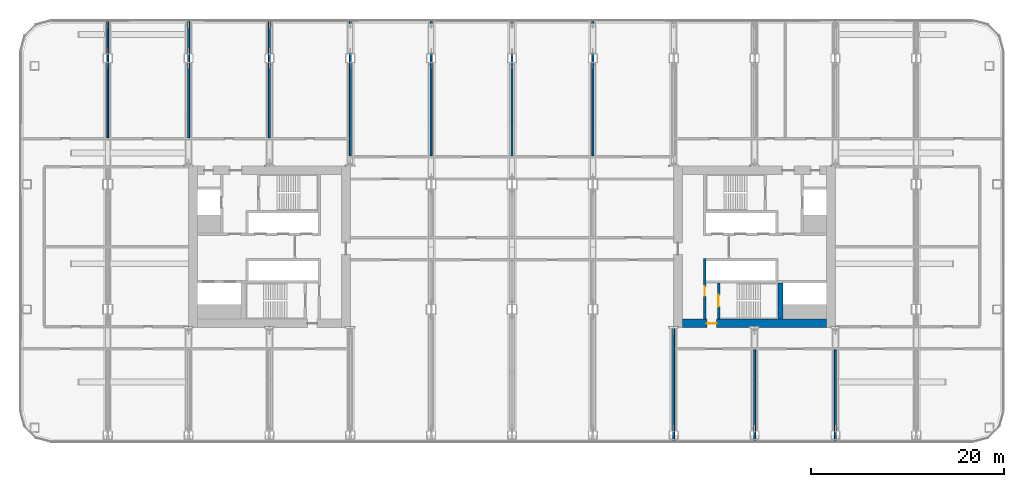
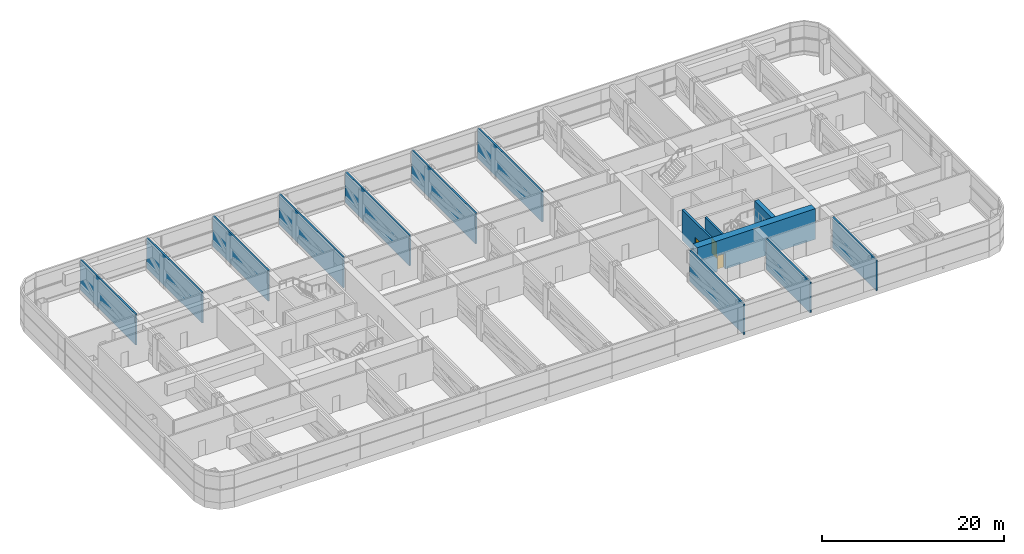
# One storey, part 18 of 30: 14 walls, 3 doors, 3 openings.
"""IFC4 building model written with IfcOpenShell, lengths in metres."""

import ifcopenshell
import ifcopenshell.guid

model = None  # the IFC model being written
_history = None  # IfcOwnerHistory: only IFC2X3 demands one
_inside = {}  # id of a spatial element -> (the spatial element, [elements in it])
_under = {}  # id of a project, library or spatial element -> (it, [spatial elements below it])
_declared = {}  # id of a project -> (the project, [libraries it declares])
_typed = {}  # id of a type object -> (the type object, [elements of that type])
_made_of = {}  # id of a material, layer set ... -> (it, [elements and type objects made of it])


def new_model(schema):
    """Start an empty IFC model of exactly this schema.

    Asked for "IFC4X3", IfcOpenShell would pick the latest addendum, in which some entities
    have other attributes; the version numbers below select the first issue.
    IFC2X3 requires an IfcOwnerHistory on every rooted entity: one is made here for all.
    """
    global model, _history
    if schema == "IFC4X3":
        model = ifcopenshell.file(schema_version=(4, 3, 0, 0))
    else:
        model = ifcopenshell.file(schema=schema)
    _inside.clear()
    _under.clear()
    _declared.clear()
    _typed.clear()
    _made_of.clear()
    _history = None
    if model.schema == "IFC2X3":
        org = make("IfcOrganization", Name="unknown")
        user = make(
            "IfcPersonAndOrganization",
            ThePerson=make("IfcPerson", FamilyName="unknown"),
            TheOrganization=org,
        )
        app = make(
            "IfcApplication",
            ApplicationDeveloper=org,
            Version="unknown",
            ApplicationFullName="unknown",
            ApplicationIdentifier="unknown",
        )
        _history = make(
            "IfcOwnerHistory",
            OwningUser=user,
            OwningApplication=app,
            ChangeAction="ADDED",
            CreationDate=0,
        )
    return model


def make(cls, **values):
    """One entity of the class cls with the attributes given. An attribute that is None is left unset."""
    return model.create_entity(
        cls, **{name: value for name, value in values.items() if value is not None}
    )


def rooted(cls, **values):
    """An entity with a GlobalId (a new one), such as an element, a storey or a relation."""
    return make(cls, GlobalId=ifcopenshell.guid.new(), OwnerHistory=_history, **values)


def si_unit(unit_type, name, prefix=None):
    """IfcSIUnit, for example si_unit("LENGTHUNIT", "METRE", prefix="MILLI")."""
    return make("IfcSIUnit", UnitType=unit_type, Prefix=prefix, Name=name)


def assignment(units):
    """IfcUnitAssignment: the units of a project."""
    return None if units is None else make("IfcUnitAssignment", Units=units)


def point(xyz):
    """IfcCartesianPoint."""
    return None if xyz is None else make("IfcCartesianPoint", Coordinates=xyz)


def direction(xyz):
    """IfcDirection."""
    return None if xyz is None else make("IfcDirection", DirectionRatios=xyz)


def frame(location, z_axis=None, x_axis=None):
    """IfcAxis2Placement3D, a coordinate frame: its origin and axes. An axis left out is left unset."""
    return make(
        "IfcAxis2Placement3D",
        Location=point(location),
        Axis=direction(z_axis),
        RefDirection=direction(x_axis),
    )


def frame_2d(location, x_axis=None):
    """IfcAxis2Placement2D, a coordinate frame in the plane: its origin and x axis."""
    return make(
        "IfcAxis2Placement2D", Location=point(location), RefDirection=direction(x_axis)
    )


def origin():
    """The frame at (0, 0, 0) with its axes left unset."""
    return frame((0.0, 0.0, 0.0))


def place(relative_to, where):
    """IfcLocalPlacement: puts the frame where relative to a parent placement (None: the world)."""
    return make(
        "IfcLocalPlacement", PlacementRelTo=relative_to, RelativePlacement=where
    )


def context(
    kind, dimensions, precision=None, world=None, true_north=None, identifier=None
):
    """IfcGeometricRepresentationContext, for example the 3D "Model" context."""
    return make(
        "IfcGeometricRepresentationContext",
        ContextIdentifier=identifier,
        ContextType=kind,
        CoordinateSpaceDimension=dimensions,
        Precision=precision,
        WorldCoordinateSystem=world,
        TrueNorth=true_north,
    )


def subcontext(parent, identifier, kind, view, scale=None):
    """IfcGeometricRepresentationSubContext, for example "Body" below "Model"."""
    return make(
        "IfcGeometricRepresentationSubContext",
        ContextIdentifier=identifier,
        ContextType=kind,
        ParentContext=parent,
        TargetScale=scale,
        TargetView=view,
    )


def project(units=None, contexts=None):
    """IfcProject with its units and contexts."""
    return rooted(
        "IfcProject",
        Name="project",
        RepresentationContexts=contexts,
        UnitsInContext=assignment(units),
    )


def spatial(cls, under=None, at=None, **own):
    """A site, building, storey or space (cls), placed at a placement, below another one or the project."""
    s = rooted(cls, ObjectPlacement=at, **own)
    if under is not None:
        _under.setdefault(under.id(), (under, []))[1].append(s)
    return s


def profile(cls, at=None, kind="AREA", **sizes):
    """A parametric profile (cls). Its sizes go by their IFC names, for example OverallWidth=200.0."""
    return make(cls, ProfileType=kind, Position=at, **sizes)


def rectangle(**sizes):
    """IfcRectangleProfileDef."""
    return profile("IfcRectangleProfileDef", **sizes)


def extrude(swept, where, along, depth):
    """IfcExtrudedAreaSolid: the profile swept, set in the frame where, extruded along a direction by depth."""
    return make(
        "IfcExtrudedAreaSolid",
        SweptArea=swept,
        Position=where,
        ExtrudedDirection=direction(along),
        Depth=depth,
    )


def shape(context_of_items, identifier, shape_type, items):
    """IfcShapeRepresentation: the items that make up one representation, for example the "Body"."""
    return make(
        "IfcShapeRepresentation",
        ContextOfItems=context_of_items,
        RepresentationIdentifier=identifier,
        RepresentationType=shape_type,
        Items=items,
    )


def material(Name=None, Category=None):
    """IfcMaterial."""
    return make("IfcMaterial", Name=Name, Category=Category)


def layer(
    of_material, thickness, ventilated=None, Name=None, Category=None, Priority=None
):
    """IfcMaterialLayer: one layer of a wall or slab, of a material (None: an air gap)."""
    return make(
        "IfcMaterialLayer",
        Material=of_material,
        LayerThickness=thickness,
        IsVentilated=ventilated,
        Name=Name,
        Category=Category,
        Priority=Priority,
    )


def layer_set(layers, Name=None):
    """IfcMaterialLayerSet."""
    return make("IfcMaterialLayerSet", MaterialLayers=layers, LayerSetName=Name)


def made_of(thing, what):
    """Note that an element or type object is made of a material, layer set ...; save() writes the relation."""
    if what is not None:
        _made_of.setdefault(what.id(), (what, []))[1].append(thing)
    return thing


def type_object(cls, material=None, **own):
    """A type object (cls), such as IfcWallType, which elements share."""
    return made_of(rooted(cls, **own), material)


def element(
    cls,
    number,
    at=None,
    inside=None,
    cuts=None,
    type_object=None,
    material=None,
    context=None,
    identifier="Body",
    shape_type=None,
    held_by="IfcProductDefinitionShape",
    body=None,
    shapes=None,
    **own,
):
    """One element of the class cls, such as IfcWall. Its Tag is "e" and its number.

    at: its placement. inside: the storey or other place that contains it. cuts: it is an
    opening in that element (IfcRelVoidsElement). A single representation is given by context,
    identifier, shape_type and body (its items); several are given by shapes. held_by: the class
    of the entity that holds the representations. save() writes the other relations.
    """
    e = rooted(cls, Tag="e%d" % number, ObjectPlacement=at, **own)
    if body is not None:
        shapes = [shape(context, identifier, shape_type, body)]
    if shapes is not None:
        e.Representation = make(held_by, Representations=shapes)
    if inside is not None:
        _inside.setdefault(inside.id(), (inside, []))[1].append(e)
    if cuts is not None:
        rooted(
            "IfcRelVoidsElement", RelatingBuildingElement=cuts, RelatedOpeningElement=e
        )
    if type_object is not None:
        _typed.setdefault(type_object.id(), (type_object, []))[1].append(e)
    return made_of(e, material)


def fill(opening, filler):
    """IfcRelFillsElement: the door or window that sits in an opening."""
    return rooted(
        "IfcRelFillsElement",
        RelatingOpeningElement=opening,
        RelatedBuildingElement=filler,
    )


def aggregate(whole, parts):
    """IfcRelAggregates: a whole, such as a stair, and the parts it consists of."""
    return rooted("IfcRelAggregates", RelatingObject=whole, RelatedObjects=parts)


def save(model, path):
    """Write the relations noted so far, then the file.

    IfcRelAggregates (storeys below a building ...), IfcRelContainedInSpatialStructure (elements
    in a storey), IfcRelDefinesByType, IfcRelAssociatesMaterial and IfcRelDeclares: one each for
    every whole, place, type object, material and project.
    """
    for whole, parts in _under.values():
        aggregate(whole, parts)
    for where, things in _inside.values():
        rooted(
            "IfcRelContainedInSpatialStructure",
            RelatedElements=things,
            RelatingStructure=where,
        )
    for kind, things in _typed.values():
        rooted("IfcRelDefinesByType", RelatedObjects=things, RelatingType=kind)
    for what, things in _made_of.values():
        rooted("IfcRelAssociatesMaterial", RelatedObjects=things, RelatingMaterial=what)
    for by, libraries in _declared.values():
        rooted("IfcRelDeclares", RelatingContext=by, RelatedDefinitions=libraries)
    model.write(path)


model = new_model("IFC4")

# Units and contexts
model_context = context("Model", 3, precision=1e-05, world=origin(), true_north=direction((0.0, 1.0)))
body_context = subcontext(model_context, "Body", "Model", "MODEL_VIEW")
ifc_project = project(units=[si_unit("LENGTHUNIT", "METRE"), si_unit("AREAUNIT", "SQUARE_METRE"), si_unit("VOLUMEUNIT", "CUBIC_METRE"), si_unit("PLANEANGLEUNIT", "RADIAN"), si_unit("MASSUNIT", "GRAM", prefix="KILO")], contexts=[model_context])

# Site, building, storey
site_placement = place(None, origin())
site = spatial("IfcSite", under=ifc_project, at=site_placement, CompositionType="ELEMENT")
building_placement = place(site_placement, origin())
building = spatial("IfcBuilding", under=site, at=building_placement, Name="Hakoniwa Tower and Hamabe Station Hall", CompositionType="ELEMENT")
storey_placement = place(building_placement, frame((0.0, 0.0, 64.60009765625)))
storey = spatial("IfcBuildingStorey", under=building, at=storey_placement, Name="L18", CompositionType="ELEMENT", Elevation=64.60009765625)

# Wall, opening, door
ifc_material_1 = material(Name="Concrete C80", Category="concrete")
ifc_layer_1 = layer(ifc_material_1, 0.89990234375)
ifc_layer_set_1 = layer_set([ifc_layer_1], Name="CORE WALL 900 C80")
wall_type_1 = type_object("IfcWallType", Name="CORE WALL 900 C80", PredefinedType="SHEAR", material=ifc_layer_set_1)
wall_1_placement = place(storey_placement, frame((17.699951171875, -7.949951171875, 0.0), z_axis=(0.0, 0.0, 1.0), x_axis=(1.0, 0.0, 0.0)))
wall_1 = element("IfcWall", 1, at=wall_1_placement, inside=storey, type_object=wall_type_1, Name="Core wall SOUTH east", PredefinedType="SHEAR", context=body_context, shape_type="SweptSolid", body=[
    extrude(rectangle(XDim=15.0, YDim=0.89990234375, at=frame_2d((7.5, 0.0))), origin(), (0.0, 0.0, 1.0), 4.099853515625),
])
opening_1_placement = place(wall_1_placement, frame((2.550048828125, 0.0, 0.0)))
opening_1 = element("IfcOpeningElement", 2, at=opening_1_placement, cuts=wall_1, Name="Opening CD-E-FS3-10", PredefinedType="OPENING", context=body_context, shape_type="SweptSolid", body=[
    extrude(rectangle(XDim=1.0, YDim=2.10009765625, at=frame_2d((0.5, 1.050048828125))), frame((0.0, 0.4599609375, 0.0), z_axis=(0.0, -1.0, 0.0), x_axis=(1.0, 0.0, 0.0)), (0.0, 0.0, 1.0), 0.919921875),
])
ifc_material_2 = material(Name="Steel fire door", Category="steel")
door_type_1 = type_object("IfcDoorType", Name="CORE DOOR 1000 FD60", OperationType="NOTDEFINED", PredefinedType="DOOR", material=ifc_material_2)
door_1_placement = place(opening_1_placement, origin())
door_1 = element("IfcDoor", 3, at=door_1_placement, inside=storey, type_object=door_type_1, Name="Stair vestibule door", OperationType="SINGLE_SWING_LEFT", OverallHeight=2.10009765625, OverallWidth=1.0, PredefinedType="DOOR", context=body_context, shape_type="SweptSolid", body=[
    extrude(rectangle(XDim=1.0, YDim=2.10009765625, at=frame_2d((0.5, 1.050048828125))), frame((0.0, 0.02490234375, 0.0), z_axis=(0.0, -1.0, 0.0), x_axis=(1.0, 0.0, 0.0)), (0.0, 0.0, 1.0), 0.050048828125),
])
fill(opening_1, door_1)

ifc_material_3 = material(Name="Concrete C80", Category="concrete")
ifc_layer_2 = layer(ifc_material_3, 0.25)
ifc_layer_set_2 = layer_set([ifc_layer_2], Name="CORE WEB WALL 250 C80")
wall_type_2 = type_object("IfcWallType", Name="CORE WEB WALL 250 C80", PredefinedType="SHEAR", material=ifc_layer_set_2)
wall_2_placement = place(storey_placement, frame((20.02490234375, -7.5, 0.0), z_axis=(0.0, 0.0, 1.0), x_axis=(0.0, 1.0, 0.0)))
wall_2 = element("IfcWall", 4, at=wall_2_placement, inside=storey, type_object=wall_type_2, Name="Core wall W1S east", PredefinedType="SHEAR", context=body_context, shape_type="SweptSolid", body=[
    extrude(rectangle(XDim=6.300048828125, YDim=0.25, at=frame_2d((3.14990234375, 0.0))), origin(), (0.0, 0.0, 1.0), 4.099853515625),
])
opening_2_placement = place(wall_2_placement, frame((2.39990234375, 0.0, 0.0)))
opening_2 = element("IfcOpeningElement", 5, at=opening_2_placement, cuts=wall_2, Name="Opening CD-E-VS-10", PredefinedType="OPENING", context=body_context, shape_type="SweptSolid", body=[
    extrude(rectangle(XDim=1.0, YDim=2.10009765625, at=frame_2d((0.5, 1.050048828125))), frame((0.0, 0.135009765625, 0.0), z_axis=(0.0, -1.0, 0.0), x_axis=(1.0, 0.0, 0.0)), (0.0, 0.0, 1.0), 0.27001953125),
])
door_2_placement = place(opening_2_placement, origin())
door_2 = element("IfcDoor", 6, at=door_2_placement, inside=storey, type_object=door_type_1, Name="Stair vestibule door", OperationType="SINGLE_SWING_RIGHT", OverallHeight=2.10009765625, OverallWidth=1.0, PredefinedType="DOOR", context=body_context, shape_type="SweptSolid", body=[
    extrude(rectangle(XDim=1.0, YDim=2.10009765625, at=frame_2d((0.5, 1.050048828125))), frame((0.0, 0.02490234375, 0.0), z_axis=(0.0, -1.0, 0.0), x_axis=(1.0, 0.0, 0.0)), (0.0, 0.0, 1.0), 0.050048828125),
])
fill(opening_2, door_2)

wall_3_placement = place(storey_placement, frame((21.47509765625, -7.5, 0.0), z_axis=(0.0, 0.0, 1.0), x_axis=(0.0, 1.0, 0.0)))
wall_3 = element("IfcWall", 7, at=wall_3_placement, inside=storey, type_object=wall_type_2, Name="Core wall VE east", PredefinedType="SHEAR", context=body_context, shape_type="SweptSolid", body=[
    extrude(rectangle(XDim=3.75, YDim=0.25, at=frame_2d((1.875, 0.0))), origin(), (0.0, 0.0, 1.0), 4.099853515625),
])
opening_3_placement = place(wall_3_placement, frame((1.300048828125, 0.0, 0.0)))
opening_3 = element("IfcOpeningElement", 8, at=opening_3_placement, cuts=wall_3, Name="Opening CD-E-SS-12", PredefinedType="OPENING", context=body_context, shape_type="SweptSolid", body=[
    extrude(rectangle(XDim=1.199951171875, YDim=2.10009765625, at=frame_2d((0.60009765625, 1.050048828125))), frame((0.0, 0.135009765625, 0.0), z_axis=(0.0, -1.0, 0.0), x_axis=(1.0, 0.0, 0.0)), (0.0, 0.0, 1.0), 0.27001953125),
])
ifc_material_4 = material(Name="Steel fire door", Category="steel")
door_type_2 = type_object("IfcDoorType", Name="CORE DOOR 1200 FD60", OperationType="DOUBLE_DOOR_SINGLE_SWING", PredefinedType="DOOR", material=ifc_material_4)
door_3_placement = place(opening_3_placement, origin())
door_3 = element("IfcDoor", 9, at=door_3_placement, inside=storey, type_object=door_type_2, Name="Escape stair door", OperationType="DOUBLE_DOOR_SINGLE_SWING", OverallHeight=2.10009765625, OverallWidth=1.199951171875, PredefinedType="DOOR", context=body_context, shape_type="SweptSolid", body=[
    extrude(rectangle(XDim=1.199951171875, YDim=2.10009765625, at=frame_2d((0.60009765625, 1.050048828125))), frame((0.0, 0.02490234375, 0.0), z_axis=(0.0, -1.0, 0.0), x_axis=(1.0, 0.0, 0.0)), (0.0, 0.0, 1.0), 0.050048828125),
])
fill(opening_3, door_3)

# Walls
ifc_material_5 = material(Name="Concrete C80", Category="concrete")
ifc_layer_3 = layer(ifc_material_5, 0.5)
ifc_layer_set_3 = layer_set([ifc_layer_3], Name="CORE WEB WALL 500 C80")
wall_type_3 = type_object("IfcWallType", Name="CORE WEB WALL 500 C80", PredefinedType="SHEAR", material=ifc_layer_set_3)
wall_4_placement = place(storey_placement, frame((27.89990234375, -7.5, 0.0), z_axis=(0.0, 0.0, 1.0), x_axis=(0.0, 1.0, 0.0)))
element("IfcWall", 10, at=wall_4_placement, inside=storey, type_object=wall_type_3, Name="Core wall SSE east", PredefinedType="SHEAR", context=body_context, shape_type="SweptSolid", body=[
    extrude(rectangle(XDim=3.75, YDim=0.5, at=frame_2d((1.875, 0.0))), origin(), (0.0, 0.0, 1.0), 4.099853515625),
])
ifc_material_6 = material(Name="Fire-rated gypsum board partition", Category="gypsum")
ifc_layer_4 = layer(ifc_material_6, 0.199951171875)
ifc_layer_set_4 = layer_set([ifc_layer_4], Name="Party Wall 200")
wall_type_4 = type_object("IfcWallType", Name="Party Wall 200", PredefinedType="PARTITIONING", material=ifc_layer_set_4)
for number, where, z_axis, x_axis, name in (
    (11, (-42.0, 11.35009765625, 0.0), (0.0, 0.0, 1.0), (0.0, 1.0, 0.0), "GW-L18-018"),
    (12, (-33.60009765625, 11.35009765625, 0.0), (0.0, 0.0, 1.0), (0.0, 1.0, 0.0), "GW-L18-020"),
    (13, (-25.199951171875, 11.35009765625, 0.0), (0.0, 0.0, 1.0), (0.0, 1.0, 0.0), "GW-L18-022"),
):
    element("IfcWall", number, at=place(storey_placement, frame(where, z_axis=z_axis, x_axis=x_axis)), inside=storey, type_object=wall_type_4, Name=name, PredefinedType="PARTITIONING", context=body_context, shape_type="SweptSolid", body=[
        extrude(rectangle(XDim=12.199951171875, YDim=0.199951171875, at=frame_2d((6.10009765625, 0.0))), origin(), (0.0, 0.0, 1.0), 4.099853515625),
    ])
for number, where, z_axis, x_axis, name in (
    (14, (-16.800048828125, 9.449951171875, 0.0), (0.0, 0.0, 1.0), (0.0, 1.0, 0.0), "GW-L18-024"),
    (15, (-8.39990234375, 9.449951171875, 0.0), (0.0, 0.0, 1.0), (0.0, 1.0, 0.0), "GW-L18-027"),
    (16, (0.0, 9.449951171875, 0.0), (0.0, 0.0, 1.0), (0.0, 1.0, 0.0), "GW-L18-030"),
    (17, (8.39990234375, 9.449951171875, 0.0), (0.0, 0.0, 1.0), (0.0, 1.0, 0.0), "GW-L18-033"),
):
    element("IfcWall", number, at=place(storey_placement, frame(where, z_axis=z_axis, x_axis=x_axis)), inside=storey, type_object=wall_type_4, Name=name, PredefinedType="PARTITIONING", context=body_context, shape_type="SweptSolid", body=[
        extrude(rectangle(XDim=14.10009765625, YDim=0.199951171875, at=frame_2d((7.050048828125, 0.0))), origin(), (0.0, 0.0, 1.0), 4.099853515625),
    ])
wall_5_placement = place(storey_placement, frame((16.800048828125, -20.300048828125, 0.0), z_axis=(0.0, 0.0, 1.0), x_axis=(0.0, 1.0, 0.0)))
element("IfcWall", 18, at=wall_5_placement, inside=storey, type_object=wall_type_4, Name="GW-L18-034", PredefinedType="PARTITIONING", context=body_context, shape_type="SweptSolid", body=[
    extrude(rectangle(XDim=11.91015625, YDim=0.199951171875, at=frame_2d((5.955078125, 0.0))), origin(), (0.0, 0.0, 1.0), 4.099853515625),
])
for number, where, z_axis, x_axis, name in (
    (19, (25.199951171875, -20.300048828125, 0.0), (0.0, 0.0, 1.0), (0.0, 1.0, 0.0), "GW-L18-036"),
    (20, (33.60009765625, -20.300048828125, 0.0), (0.0, 0.0, 1.0), (0.0, 1.0, 0.0), "GW-L18-039"),
):
    element("IfcWall", number, at=place(storey_placement, frame(where, z_axis=z_axis, x_axis=x_axis)), inside=storey, type_object=wall_type_4, Name=name, PredefinedType="PARTITIONING", context=body_context, shape_type="SweptSolid", body=[
        extrude(rectangle(XDim=9.60009765625, YDim=0.199951171875, at=frame_2d((4.800048828125, 0.0))), origin(), (0.0, 0.0, 1.0), 4.099853515625),
    ])

save(model, "model.ifc")
